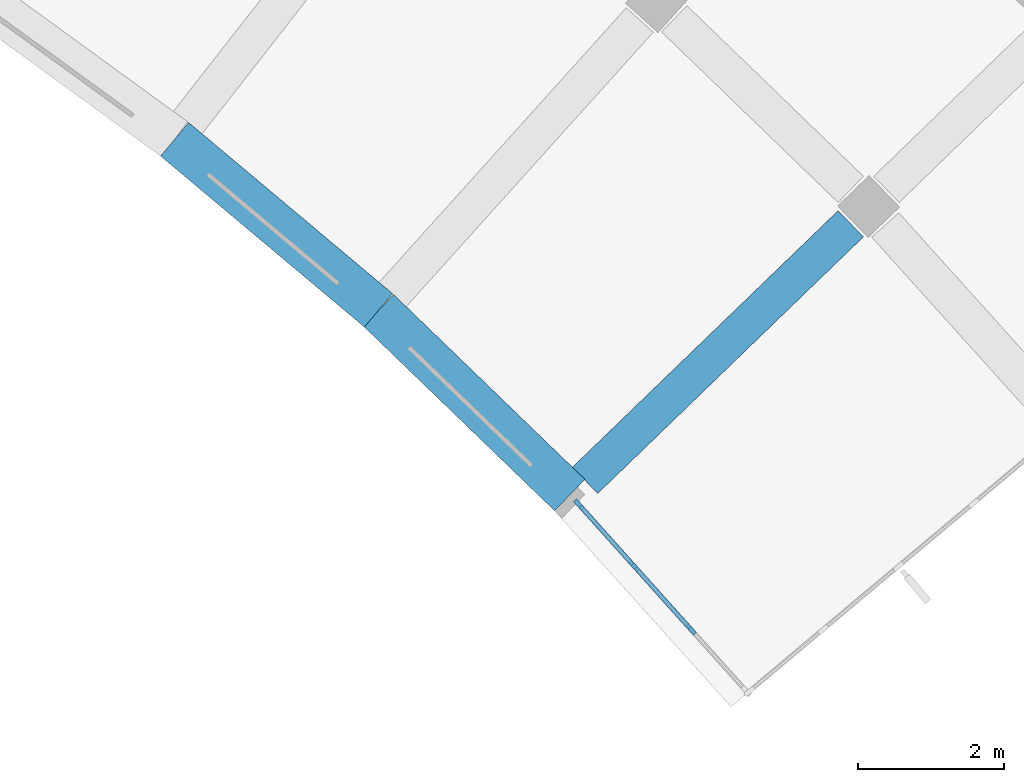
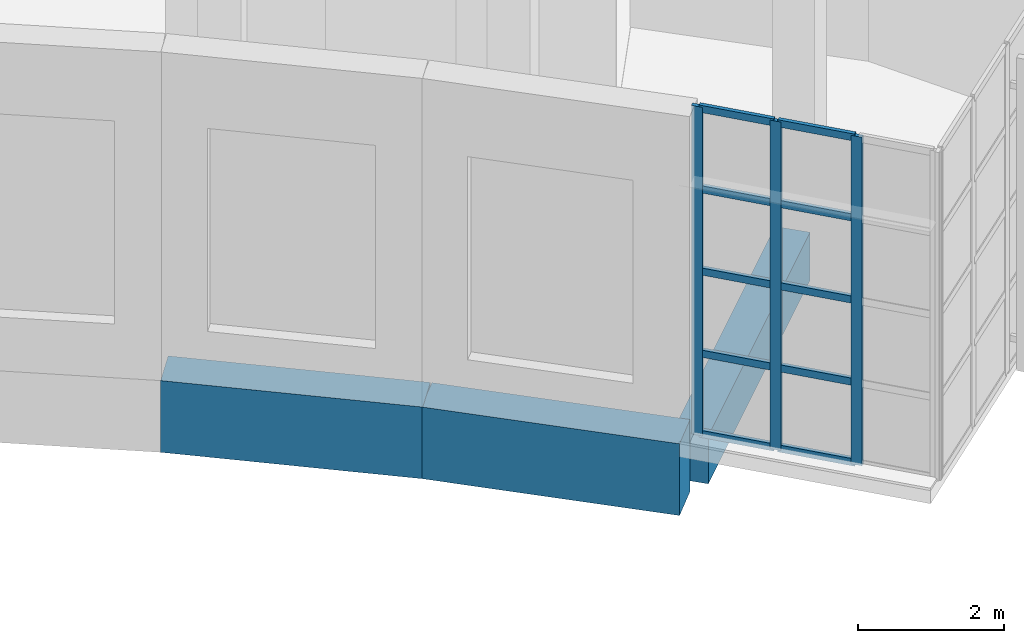
# One storey, part 9 of 87: 13 members, 3 beams, 1 element without a shape of its own.
"""IFC4 building model written with IfcOpenShell, lengths in metres."""

from ifc_helpers import new_model, si_unit, direction, frame, origin, origin_2d, place, context, subcontext, project, spatial, rectangle, extrude, material, layer, layer_set, material_profile, profile_set, type_object, element, aggregate, save


model = new_model("IFC4")

# Units and contexts
model_context = context("Model", 3, precision=1e-05, world=origin(), true_north=direction((0.0, 1.0)))
body_context = subcontext(model_context, "Body", "Model", "MODEL_VIEW")
ifc_project = project(units=[si_unit("LENGTHUNIT", "METRE"), si_unit("AREAUNIT", "SQUARE_METRE"), si_unit("VOLUMEUNIT", "CUBIC_METRE"), si_unit("PLANEANGLEUNIT", "RADIAN"), si_unit("MASSUNIT", "GRAM", prefix="KILO")], contexts=[model_context])

# Site, building, storey
site_placement = place(None, origin())
site = spatial("IfcSite", under=ifc_project, at=site_placement, CompositionType="ELEMENT")
building_placement = place(site_placement, origin())
building = spatial("IfcBuilding", under=site, at=building_placement, Name="Lunette Opera House", CompositionType="ELEMENT")
storey_placement = place(building_placement, frame((0.0, 0.0, 11.5)))
storey = spatial("IfcBuildingStorey", under=building, at=storey_placement, Name="L02", CompositionType="ELEMENT", Elevation=11.5)

# Curtain wall, members
ifc_material_1 = material(Name="Aluminium", Category="aluminium")
ifc_layer = layer(ifc_material_1, 0.159912109375)
ifc_layer_set = layer_set([ifc_layer], Name="Aluminium")
curtain_wall_type = type_object("IfcCurtainWallType", Name="CORNER CURTAIN WALL", PredefinedType="NOTDEFINED", material=ifc_layer_set)
curtain_wall_placement = place(storey_placement, origin())
curtain_wall = element("IfcCurtainWall", 1, at=curtain_wall_placement, inside=storey, type_object=curtain_wall_type, Name="Corner Curtain Wall GC-E1 L02", PredefinedType="NOTDEFINED")
ifc_material_2 = material(Name="Aluminium", Category="aluminium")
ifc_material_profile_1 = material_profile(ifc_material_2, rectangle(XDim=0.06005859375, YDim=0.159912109375, at=origin_2d()), Name="MULLION 60 X 160")
ifc_profile_set_1 = profile_set([ifc_material_profile_1], Name="Aluminium")
member_type_1 = type_object("IfcMemberType", Name="MULLION 60 X 160", PredefinedType="MULLION", material=ifc_profile_set_1)
member_1_placement = place(storey_placement, frame((133.74609375, 36.20068359375, 0.0), z_axis=(0.0, 0.0, 1.0), x_axis=(0.744216793887, 0.667938143615, 0.0)))
member_1 = element("IfcMember", 2, at=member_1_placement, type_object=member_type_1, Name="FC-X2175 mullion 1", PredefinedType="MULLION", context=body_context, shape_type="SweptSolid", body=[
    extrude(rectangle(XDim=0.06005859375, YDim=0.159912109375, at=origin_2d()), origin(), (0.0, 0.0, 1.0), 5.5),
])
member_2_placement = place(storey_placement, frame((134.50537109375, 35.354736328125, 0.0), z_axis=(0.0, 0.0, 1.0), x_axis=(0.744216793887, 0.667938143615, 0.0)))
member_2 = element("IfcMember", 3, at=member_2_placement, type_object=member_type_1, Name="FC-X2175 mullion 2", PredefinedType="MULLION", context=body_context, shape_type="SweptSolid", body=[
    extrude(rectangle(XDim=0.06005859375, YDim=0.159912109375, at=origin_2d()), origin(), (0.0, 0.0, 1.0), 5.5),
])
member_3_placement = place(storey_placement, frame((135.28466796875, 34.486328125, 0.0), z_axis=(0.0, 0.0, 1.0), x_axis=(0.744216793887, 0.667938143615, 0.0)))
member_3 = element("IfcMember", 4, at=member_3_placement, type_object=member_type_1, Name="FC-X2175 mullion 3", PredefinedType="MULLION", context=body_context, shape_type="SweptSolid", body=[
    extrude(rectangle(XDim=0.06005859375, YDim=0.159912109375, at=origin_2d()), origin(), (0.0, 0.0, 1.0), 5.5),
])

# Beams
ifc_material_3 = material(Name="Concrete C35/45", Category="concrete")
ifc_material_profile_2 = material_profile(ifc_material_3, rectangle(XDim=0.5, YDim=0.800048828125, at=origin_2d()), Name="RC BEAM 500X800")
ifc_profile_set_2 = profile_set([ifc_material_profile_2], Name="Concrete C35/45")
beam_type_1 = type_object("IfcBeamType", Name="RC BEAM 500X800", PredefinedType="BEAM", material=ifc_profile_set_2)
beam_1_placement = place(storey_placement, frame((133.830078125, 36.531982421875, -0.6201171875), z_axis=(0.719326780477, 0.694671852668, 0.0), x_axis=(-0.694671852668, 0.719326780477, 0.0)))
element("IfcBeam", 5, at=beam_1_placement, inside=storey, type_object=beam_type_1, Name="beam-FC-L02-L02-RB-RL-25-1", PredefinedType="BEAM", context=body_context, shape_type="SweptSolid", body=[
    extrude(rectangle(XDim=0.5, YDim=0.800048828125, at=origin_2d()), origin(), (0.0, 0.0, 1.0), 5.070068359375),
])
ifc_material_4 = material(Name="Concrete C40/50", Category="concrete")
ifc_material_profile_3 = material_profile(ifc_material_4, rectangle(XDim=0.60009765625, YDim=1.199951171875, at=origin_2d()), Name="TRANSFER BEAM 600X1200")
ifc_profile_set_3 = profile_set([ifc_material_profile_3], Name="Concrete C40/50")
beam_type_2 = type_object("IfcBeamType", Name="TRANSFER BEAM 600X1200", PredefinedType="BEAM", material=ifc_profile_set_3)
beam_2_placement = place(storey_placement, frame((128.198974609375, 41.212890625, -0.60009765625), z_axis=(0.766063027659, -0.642765460844, 0.0), x_axis=(0.642765460844, 0.766063027659, 0.0)))
element("IfcBeam", 6, at=beam_2_placement, inside=storey, type_object=beam_type_2, Name="beam-FC-L02-EB22", PredefinedType="BEAM", context=body_context, shape_type="SweptSolid", body=[
    extrude(rectangle(XDim=0.60009765625, YDim=1.199951171875, at=origin_2d()), origin(), (0.0, 0.0, 1.0), 3.6513671875),
])
beam_3_placement = place(storey_placement, frame((130.99609375, 38.865966796875, -0.60009765625), z_axis=(0.719342665611, -0.69465540337, 0.0), x_axis=(0.69465540337, 0.719342665611, 0.0)))
element("IfcBeam", 7, at=beam_3_placement, inside=storey, type_object=beam_type_2, Name="beam-FC-L02-EB23", PredefinedType="BEAM", context=body_context, shape_type="SweptSolid", body=[
    extrude(rectangle(XDim=0.60009765625, YDim=1.199951171875, at=origin_2d()), origin(), (0.0, 0.0, 1.0), 3.649169921875),
])

# Member
ifc_material_5 = material(Name="Aluminium", Category="aluminium")
ifc_material_profile_4 = material_profile(ifc_material_5, rectangle(XDim=0.06005859375, YDim=0.1201171875, at=origin_2d()), Name="TRANSOM 60 X 120")
ifc_profile_set_4 = profile_set([ifc_material_profile_4], Name="Aluminium")
member_type_2 = type_object("IfcMemberType", Name="TRANSOM 60 X 120", PredefinedType="USERDEFINED", material=ifc_profile_set_4)
member_4_placement = place(storey_placement, frame((133.76611328125, 36.178466796875, 0.030029296875), z_axis=(0.667874323451, -0.744274067851, 0.0), x_axis=(0.744274067851, 0.667874323451, 0.0)))
member_4 = element("IfcMember", 8, at=member_4_placement, type_object=member_type_2, Name="FC-X2175 transom 1.1", ObjectType="TRANSOM", PredefinedType="USERDEFINED", context=body_context, shape_type="SweptSolid", body=[
    extrude(rectangle(XDim=0.06005859375, YDim=0.1201171875, at=origin_2d()), origin(), (0.0, 0.0, 1.0), 1.076904296875),
])

member_5_placement = place(storey_placement, frame((133.76611328125, 36.178466796875, 1.375), z_axis=(0.667874323451, -0.744274067851, 0.0), x_axis=(0.744274067851, 0.667874323451, 0.0)))
member_5 = element("IfcMember", 9, at=member_5_placement, type_object=member_type_2, Name="FC-X2175 transom 1.2", ObjectType="TRANSOM", PredefinedType="USERDEFINED", context=body_context, shape_type="SweptSolid", body=[
    extrude(rectangle(XDim=0.06005859375, YDim=0.1201171875, at=origin_2d()), origin(), (0.0, 0.0, 1.0), 1.076904296875),
])

member_6_placement = place(storey_placement, frame((133.76611328125, 36.178466796875, 2.75), z_axis=(0.667874323451, -0.744274067851, 0.0), x_axis=(0.744274067851, 0.667874323451, 0.0)))
member_6 = element("IfcMember", 10, at=member_6_placement, type_object=member_type_2, Name="FC-X2175 transom 1.3", ObjectType="TRANSOM", PredefinedType="USERDEFINED", context=body_context, shape_type="SweptSolid", body=[
    extrude(rectangle(XDim=0.06005859375, YDim=0.1201171875, at=origin_2d()), origin(), (0.0, 0.0, 1.0), 1.076904296875),
])

member_7_placement = place(storey_placement, frame((133.76611328125, 36.178466796875, 4.125), z_axis=(0.667874323451, -0.744274067851, 0.0), x_axis=(0.744274067851, 0.667874323451, 0.0)))
member_7 = element("IfcMember", 11, at=member_7_placement, type_object=member_type_2, Name="FC-X2175 transom 1.4", ObjectType="TRANSOM", PredefinedType="USERDEFINED", context=body_context, shape_type="SweptSolid", body=[
    extrude(rectangle(XDim=0.06005859375, YDim=0.1201171875, at=origin_2d()), origin(), (0.0, 0.0, 1.0), 1.076904296875),
])

member_8_placement = place(storey_placement, frame((133.76611328125, 36.178466796875, 5.469970703125), z_axis=(0.667874323451, -0.744274067851, 0.0), x_axis=(0.744274067851, 0.667874323451, 0.0)))
member_8 = element("IfcMember", 12, at=member_8_placement, type_object=member_type_2, Name="FC-X2175 transom 1.5", ObjectType="TRANSOM", PredefinedType="USERDEFINED", context=body_context, shape_type="SweptSolid", body=[
    extrude(rectangle(XDim=0.06005859375, YDim=0.1201171875, at=origin_2d()), origin(), (0.0, 0.0, 1.0), 1.076904296875),
])

member_9_placement = place(storey_placement, frame((134.525390625, 35.332275390625, 0.030029296875), z_axis=(0.667916007316, -0.744236660728, 0.0), x_axis=(0.744236660728, 0.667916007316, 0.0)))
member_9 = element("IfcMember", 13, at=member_9_placement, type_object=member_type_2, Name="FC-X2175 transom 2.1", ObjectType="TRANSOM", PredefinedType="USERDEFINED", context=body_context, shape_type="SweptSolid", body=[
    extrude(rectangle(XDim=0.06005859375, YDim=0.1201171875, at=origin_2d()), origin(), (0.0, 0.0, 1.0), 1.10693359375),
])

member_10_placement = place(storey_placement, frame((134.525390625, 35.332275390625, 1.375), z_axis=(0.667916007316, -0.744236660728, 0.0), x_axis=(0.744236660728, 0.667916007316, 0.0)))
member_10 = element("IfcMember", 14, at=member_10_placement, type_object=member_type_2, Name="FC-X2175 transom 2.2", ObjectType="TRANSOM", PredefinedType="USERDEFINED", context=body_context, shape_type="SweptSolid", body=[
    extrude(rectangle(XDim=0.06005859375, YDim=0.1201171875, at=origin_2d()), origin(), (0.0, 0.0, 1.0), 1.10693359375),
])

member_11_placement = place(storey_placement, frame((134.525390625, 35.332275390625, 2.75), z_axis=(0.667916007316, -0.744236660728, 0.0), x_axis=(0.744236660728, 0.667916007316, 0.0)))
member_11 = element("IfcMember", 15, at=member_11_placement, type_object=member_type_2, Name="FC-X2175 transom 2.3", ObjectType="TRANSOM", PredefinedType="USERDEFINED", context=body_context, shape_type="SweptSolid", body=[
    extrude(rectangle(XDim=0.06005859375, YDim=0.1201171875, at=origin_2d()), origin(), (0.0, 0.0, 1.0), 1.10693359375),
])

member_12_placement = place(storey_placement, frame((134.525390625, 35.332275390625, 4.125), z_axis=(0.667916007316, -0.744236660728, 0.0), x_axis=(0.744236660728, 0.667916007316, 0.0)))
member_12 = element("IfcMember", 16, at=member_12_placement, type_object=member_type_2, Name="FC-X2175 transom 2.4", ObjectType="TRANSOM", PredefinedType="USERDEFINED", context=body_context, shape_type="SweptSolid", body=[
    extrude(rectangle(XDim=0.06005859375, YDim=0.1201171875, at=origin_2d()), origin(), (0.0, 0.0, 1.0), 1.10693359375),
])

member_13_placement = place(storey_placement, frame((134.525390625, 35.332275390625, 5.469970703125), z_axis=(0.667916007316, -0.744236660728, 0.0), x_axis=(0.744236660728, 0.667916007316, 0.0)))
member_13 = element("IfcMember", 17, at=member_13_placement, type_object=member_type_2, Name="FC-X2175 transom 2.5", ObjectType="TRANSOM", PredefinedType="USERDEFINED", context=body_context, shape_type="SweptSolid", body=[
    extrude(rectangle(XDim=0.06005859375, YDim=0.1201171875, at=origin_2d()), origin(), (0.0, 0.0, 1.0), 1.10693359375),
])

aggregate(curtain_wall, [member_1, member_2, member_3, member_4, member_5, member_6, member_7, member_8, member_9, member_10, member_11, member_12, member_13])

save(model, "model.ifc")
